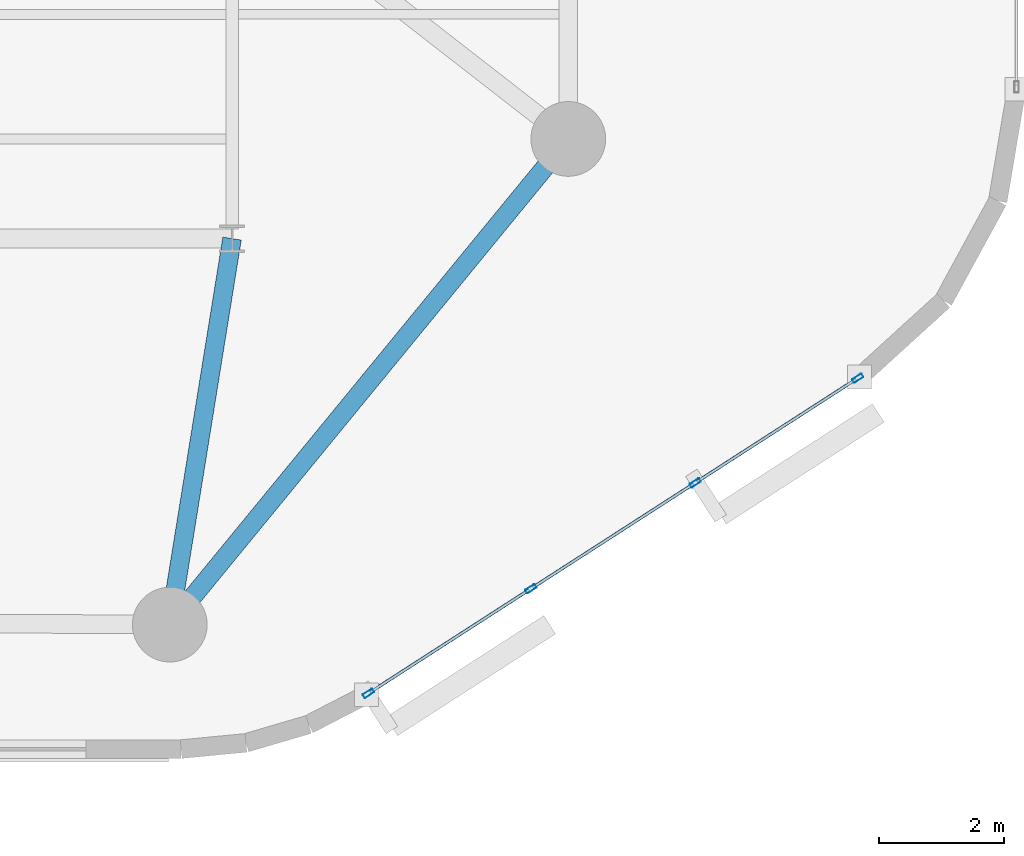
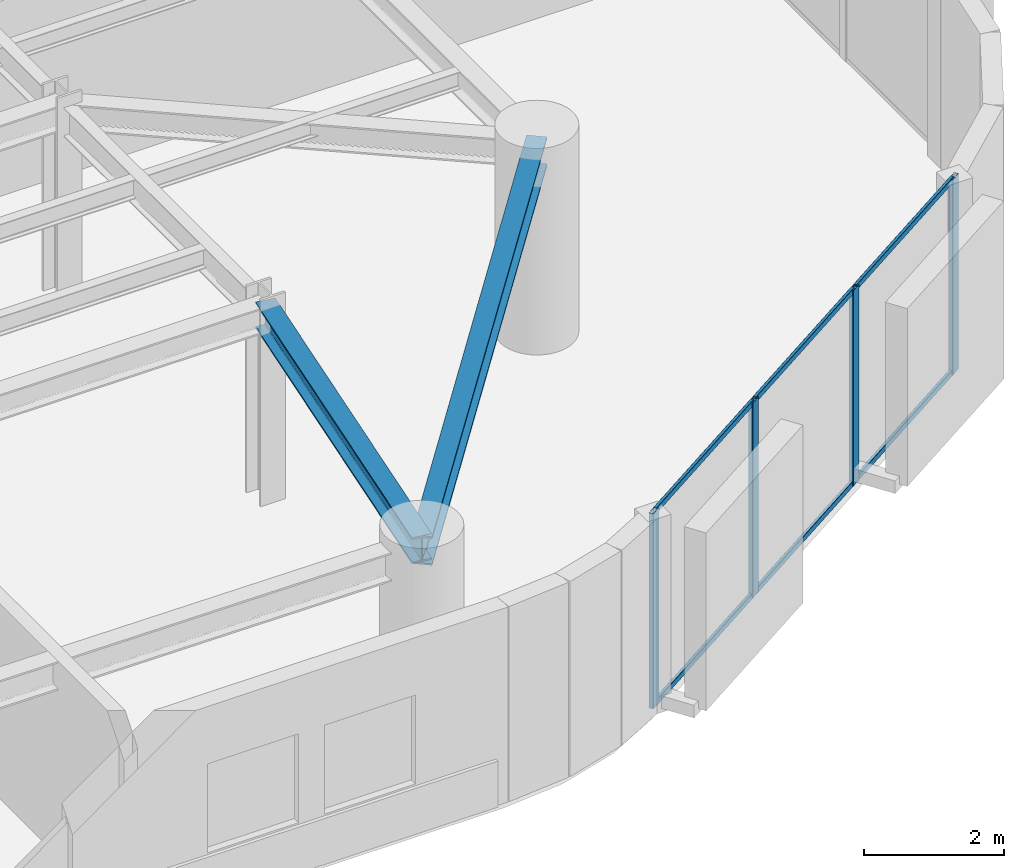
# One storey, part 2 of 15: 10 members, 2 beams, 1 element without a shape of its own.
"""IFC4 building model written with IfcOpenShell, lengths in metres."""

from ifc_helpers import new_model, si_unit, direction, frame, origin, origin_2d, place, context, subcontext, project, spatial, hollow_rectangle, i_section, extrude, material, layer, layer_set, material_profile, profile_set, type_object, element, aggregate, save


model = new_model("IFC4")

# Units and contexts
model_context = context("Model", 3, precision=1e-05, world=origin(), true_north=direction((0.0, 1.0)))
body_context = subcontext(model_context, "Body", "Model", "MODEL_VIEW")
ifc_project = project(units=[si_unit("LENGTHUNIT", "METRE"), si_unit("AREAUNIT", "SQUARE_METRE"), si_unit("VOLUMEUNIT", "CUBIC_METRE"), si_unit("PLANEANGLEUNIT", "RADIAN"), si_unit("MASSUNIT", "GRAM", prefix="KILO")], contexts=[model_context])

# Site, building, storey
site_placement = place(None, origin())
site = spatial("IfcSite", under=ifc_project, at=site_placement, CompositionType="ELEMENT")
building_placement = place(site_placement, origin())
building = spatial("IfcBuilding", under=site, at=building_placement, Name="An Khanh Terracotta Commons", CompositionType="ELEMENT")
storey_placement = place(building_placement, frame((0.0, 0.0, 179.800048828125)))
storey = spatial("IfcBuildingStorey", under=building, at=storey_placement, Name="L47", CompositionType="ELEMENT", Elevation=179.800048828125)

# Beams
ifc_material_1 = material(Name="Steel S355J2", Category="steel")
ifc_material_profile_1 = material_profile(ifc_material_1, i_section(OverallWidth=0.300048828125, OverallDepth=0.449951171875, WebThickness=0.013916015625, FlangeThickness=0.02587890625, FilletRadius=0.027099609375, at=origin_2d()), Name="HEB450")
ifc_profile_set_1 = profile_set([ifc_material_profile_1], Name="Steel S355J2")
beam_type_1 = type_object("IfcBeamType", Name="BM-HEB450", PredefinedType="BEAM", material=ifc_profile_set_1)
beam_1_placement = place(storey_placement, frame((49.39990234375, 8.199951171875, 3.175048828125), z_axis=(0.159233661074, 0.987240923575, 0.0), x_axis=(-0.987240923575, 0.159233661074, 0.0)))
element("IfcBeam", 1, at=beam_1_placement, inside=storey, type_object=beam_type_1, Name="L47 Mega-Column Tie Girder 2", PredefinedType="BEAM", context=body_context, shape_type="SweptSolid", body=[
    extrude(i_section(OverallWidth=0.300048828125, OverallDepth=0.449951171875, WebThickness=0.013916015625, FlangeThickness=0.02587890625, FilletRadius=0.027099609375, at=origin_2d()), origin(), (0.0, 0.0, 1.0), 6.280029296875),
])
ifc_material_profile_2 = material_profile(ifc_material_1, i_section(OverallWidth=0.300048828125, OverallDepth=0.5, WebThickness=0.014404296875, FlangeThickness=0.028076171875, FilletRadius=0.027099609375, at=origin_2d()), Name="HEB500")
ifc_profile_set_2 = profile_set([ifc_material_profile_2], Name="Steel S355J2")
beam_type_2 = type_object("IfcBeamType", Name="BM-HEB500", PredefinedType="BEAM", material=ifc_profile_set_2)
beam_2_placement = place(storey_placement, frame((49.39990234375, 8.199951171875, 3.14990234375), z_axis=(0.634322915223, 0.7730681983, 0.0), x_axis=(-0.7730681983, 0.634322915223, 0.0)))
element("IfcBeam", 2, at=beam_2_placement, inside=storey, type_object=beam_type_2, Name="L47 Perimeter Ring Spandrel 2", PredefinedType="BEAM", context=body_context, shape_type="SweptSolid", body=[
    extrude(i_section(OverallWidth=0.300048828125, OverallDepth=0.5, WebThickness=0.014404296875, FlangeThickness=0.028076171875, FilletRadius=0.027099609375, at=origin_2d()), origin(), (0.0, 0.0, 1.0), 10.08984375),
])

# Curtain wall, members
ifc_material_2 = material(Name="Anodised Aluminium 6063-T6", Category="aluminium")
ifc_layer = layer(ifc_material_2, 0.2099609375, Name="Anodised Aluminium 6063-T6")
ifc_layer_set = layer_set([ifc_layer], Name="Anodised Aluminium 6063-T6")
curtain_wall_type = type_object("IfcCurtainWallType", Name="CW-SYS-03", PredefinedType="USERDEFINED", material=ifc_layer_set)
curtain_wall_placement = place(storey_placement, origin())
curtain_wall = element("IfcCurtainWall", 3, at=curtain_wall_placement, inside=storey, type_object=curtain_wall_type, Name="L47 CW-03 Unitised Curtain Wall CW-L47-08", ObjectType="UNITISED CURTAIN WALL", PredefinedType="USERDEFINED")
ifc_material_profile_3 = material_profile(ifc_material_2, hollow_rectangle(XDim=0.070068359375, YDim=0.179931640625, WallThickness=0.00390625, InnerFilletRadius=0.00390625, OuterFilletRadius=0.008056640625, at=origin_2d()), Name="RHS180x70x4")
ifc_profile_set_3 = profile_set([ifc_material_profile_3], Name="Anodised Aluminium 6063-T6")
member_type_1 = type_object("IfcMemberType", Name="CWM-RHS180x70x4", PredefinedType="MULLION", material=ifc_profile_set_3)
member_1_placement = place(storey_placement, frame((52.58935546875, 7.094970703125, 0.0), z_axis=(0.0, 0.0, 1.0), x_axis=(-0.541497931062, 0.840702081986, 0.0)))
member_1 = element("IfcMember", 4, at=member_1_placement, type_object=member_type_1, Name="CW-03 mullion 1", PredefinedType="MULLION", context=body_context, shape_type="SweptSolid", body=[
    extrude(hollow_rectangle(XDim=0.070068359375, YDim=0.179931640625, WallThickness=0.00390625, InnerFilletRadius=0.00390625, OuterFilletRadius=0.008056640625, at=origin_2d()), origin(), (0.0, 0.0, 1.0), 3.39990234375),
])
member_2_placement = place(storey_placement, frame((55.19921875, 8.77587890625, 0.0), z_axis=(0.0, 0.0, 1.0), x_axis=(-0.541497931062, 0.840702081986, 0.0)))
member_2 = element("IfcMember", 5, at=member_2_placement, type_object=member_type_1, Name="CW-03 mullion 2", PredefinedType="MULLION", context=body_context, shape_type="SweptSolid", body=[
    extrude(hollow_rectangle(XDim=0.070068359375, YDim=0.179931640625, WallThickness=0.00390625, InnerFilletRadius=0.00390625, OuterFilletRadius=0.008056640625, at=origin_2d()), origin(), (0.0, 0.0, 1.0), 3.39990234375),
])
member_3_placement = place(storey_placement, frame((57.838623046875, 10.47607421875, 0.0), z_axis=(0.0, 0.0, 1.0), x_axis=(-0.541497931062, 0.840702081986, 0.0)))
member_3 = element("IfcMember", 6, at=member_3_placement, type_object=member_type_1, Name="CW-03 mullion 3", PredefinedType="MULLION", context=body_context, shape_type="SweptSolid", body=[
    extrude(hollow_rectangle(XDim=0.070068359375, YDim=0.179931640625, WallThickness=0.00390625, InnerFilletRadius=0.00390625, OuterFilletRadius=0.008056640625, at=origin_2d()), origin(), (0.0, 0.0, 1.0), 3.39990234375),
])
member_4_placement = place(storey_placement, frame((60.448486328125, 12.156982421875, 0.0), z_axis=(0.0, 0.0, 1.0), x_axis=(-0.541497931062, 0.840702081986, 0.0)))
member_4 = element("IfcMember", 7, at=member_4_placement, type_object=member_type_1, Name="CW-03 mullion 4", PredefinedType="MULLION", context=body_context, shape_type="SweptSolid", body=[
    extrude(hollow_rectangle(XDim=0.070068359375, YDim=0.179931640625, WallThickness=0.00390625, InnerFilletRadius=0.00390625, OuterFilletRadius=0.008056640625, at=origin_2d()), origin(), (0.0, 0.0, 1.0), 3.39990234375),
])
ifc_material_profile_4 = material_profile(ifc_material_2, hollow_rectangle(XDim=0.050048828125, YDim=0.10009765625, WallThickness=0.003173828125, InnerFilletRadius=0.003173828125, OuterFilletRadius=0.00634765625, at=origin_2d()), Name="RHS100x50x3.2")
ifc_profile_set_4 = profile_set([ifc_material_profile_4], Name="Anodised Aluminium 6063-T6")
member_type_2 = type_object("IfcMemberType", Name="CWT-RHS100x50x3.2", PredefinedType="USERDEFINED", material=ifc_profile_set_4)
member_5_placement = place(storey_placement, frame((52.618896484375, 7.114013671875, 0.02490234375), z_axis=(0.840710223453, 0.541485290826, 0.0), x_axis=(-0.541485290826, 0.840710223453, 0.0)))
member_5 = element("IfcMember", 8, at=member_5_placement, type_object=member_type_2, Name="CW-03 transom 1.1", ObjectType="TRANSOM", PredefinedType="USERDEFINED", context=body_context, shape_type="SweptSolid", body=[
    extrude(hollow_rectangle(XDim=0.050048828125, YDim=0.10009765625, WallThickness=0.003173828125, InnerFilletRadius=0.003173828125, OuterFilletRadius=0.00634765625, at=origin_2d()), origin(), (0.0, 0.0, 1.0), 3.034423828125),
])
member_6_placement = place(storey_placement, frame((52.618896484375, 7.114013671875, 3.375), z_axis=(0.840710223453, 0.541485290826, 0.0), x_axis=(-0.541485290826, 0.840710223453, 0.0)))
member_6 = element("IfcMember", 9, at=member_6_placement, type_object=member_type_2, Name="CW-03 transom 1.2", ObjectType="TRANSOM", PredefinedType="USERDEFINED", context=body_context, shape_type="SweptSolid", body=[
    extrude(hollow_rectangle(XDim=0.050048828125, YDim=0.10009765625, WallThickness=0.003173828125, InnerFilletRadius=0.003173828125, OuterFilletRadius=0.00634765625, at=origin_2d()), origin(), (0.0, 0.0, 1.0), 3.034423828125),
])
member_7_placement = place(storey_placement, frame((55.228759765625, 8.794921875, 0.02490234375), z_axis=(0.840707825526, 0.54148901383, 0.0), x_axis=(-0.54148901383, 0.840707825526, 0.0)))
member_7 = element("IfcMember", 10, at=member_7_placement, type_object=member_type_2, Name="CW-03 transom 2.1", ObjectType="TRANSOM", PredefinedType="USERDEFINED", context=body_context, shape_type="SweptSolid", body=[
    extrude(hollow_rectangle(XDim=0.050048828125, YDim=0.10009765625, WallThickness=0.003173828125, InnerFilletRadius=0.003173828125, OuterFilletRadius=0.00634765625, at=origin_2d()), origin(), (0.0, 0.0, 1.0), 3.069580078125),
])
member_8_placement = place(storey_placement, frame((55.228759765625, 8.794921875, 3.375), z_axis=(0.840707825526, 0.54148901383, 0.0), x_axis=(-0.54148901383, 0.840707825526, 0.0)))
member_8 = element("IfcMember", 11, at=member_8_placement, type_object=member_type_2, Name="CW-03 transom 2.2", ObjectType="TRANSOM", PredefinedType="USERDEFINED", context=body_context, shape_type="SweptSolid", body=[
    extrude(hollow_rectangle(XDim=0.050048828125, YDim=0.10009765625, WallThickness=0.003173828125, InnerFilletRadius=0.003173828125, OuterFilletRadius=0.00634765625, at=origin_2d()), origin(), (0.0, 0.0, 1.0), 3.069580078125),
])
member_9_placement = place(storey_placement, frame((57.8681640625, 10.494873046875, 0.02490234375), z_axis=(0.840673595852, 0.541542154626, 0.0), x_axis=(-0.541542154626, 0.840673595852, 0.0)))
member_9 = element("IfcMember", 12, at=member_9_placement, type_object=member_type_2, Name="CW-03 transom 3.1", ObjectType="TRANSOM", PredefinedType="USERDEFINED", context=body_context, shape_type="SweptSolid", body=[
    extrude(hollow_rectangle(XDim=0.050048828125, YDim=0.10009765625, WallThickness=0.003173828125, InnerFilletRadius=0.003173828125, OuterFilletRadius=0.00634765625, at=origin_2d()), origin(), (0.0, 0.0, 1.0), 3.034423828125),
])
member_10_placement = place(storey_placement, frame((57.8681640625, 10.494873046875, 3.375), z_axis=(0.840673595852, 0.541542154626, 0.0), x_axis=(-0.541542154626, 0.840673595852, 0.0)))
member_10 = element("IfcMember", 13, at=member_10_placement, type_object=member_type_2, Name="CW-03 transom 3.2", ObjectType="TRANSOM", PredefinedType="USERDEFINED", context=body_context, shape_type="SweptSolid", body=[
    extrude(hollow_rectangle(XDim=0.050048828125, YDim=0.10009765625, WallThickness=0.003173828125, InnerFilletRadius=0.003173828125, OuterFilletRadius=0.00634765625, at=origin_2d()), origin(), (0.0, 0.0, 1.0), 3.034423828125),
])
aggregate(curtain_wall, [member_1, member_2, member_3, member_4, member_5, member_6, member_7, member_8, member_9, member_10])

save(model, "model.ifc")
